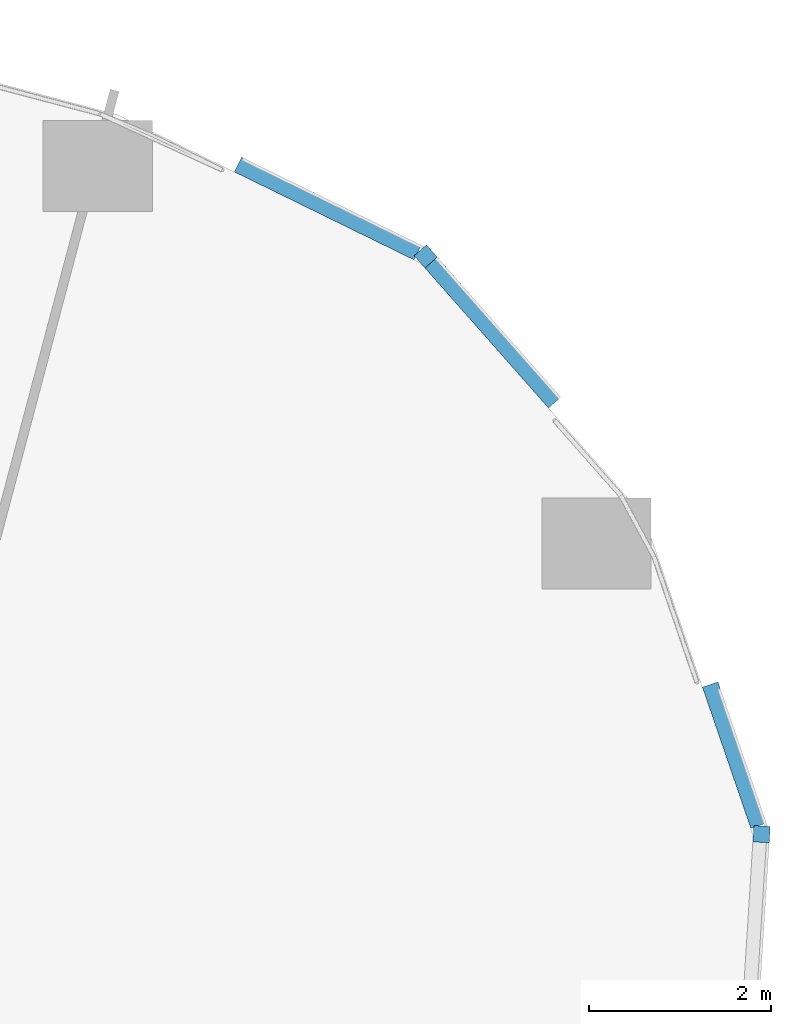
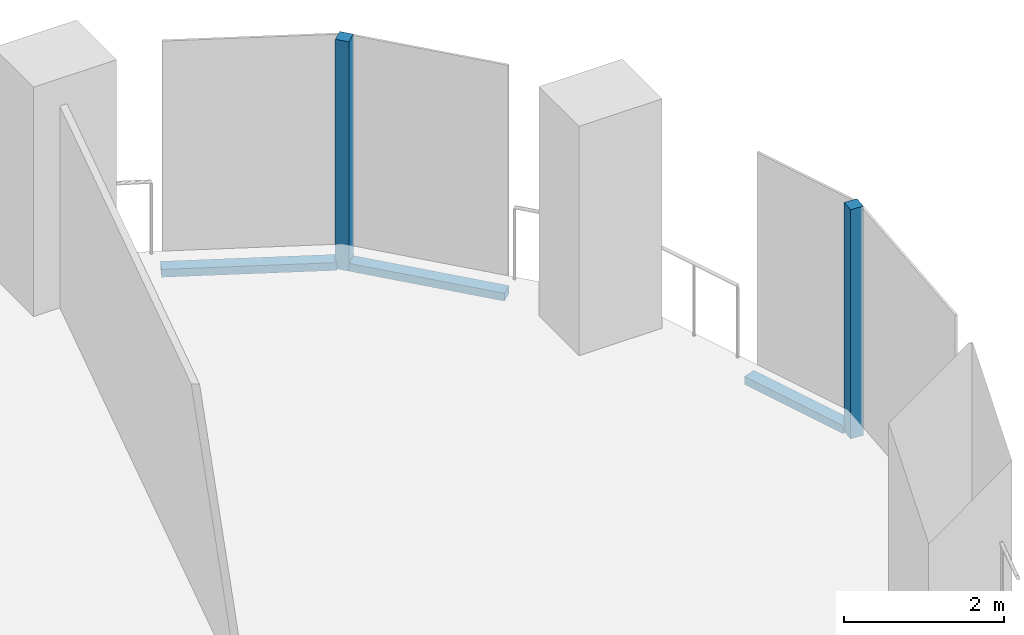
# One storey, part 9 of 34: 5 members, 4 elements without a shape of their own.
"""IFC4 building model written with IfcOpenShell, lengths in metres."""

from ifc_helpers import new_model, si_unit, direction, frame, origin, origin_2d, place, context, subcontext, project, spatial, rectangle, extrude, material, material_profile, profile_set, type_object, element, aggregate, save


model = new_model("IFC4")

# Units and contexts
model_context = context("Model", 3, precision=1e-05, world=origin(), true_north=direction((0.0, 1.0)))
body_context = subcontext(model_context, "Body", "Model", "MODEL_VIEW")
ifc_project = project(units=[si_unit("LENGTHUNIT", "METRE"), si_unit("AREAUNIT", "SQUARE_METRE"), si_unit("VOLUMEUNIT", "CUBIC_METRE"), si_unit("PLANEANGLEUNIT", "RADIAN"), si_unit("MASSUNIT", "GRAM", prefix="KILO")], contexts=[model_context])

# Site, building, storey
site_placement = place(None, origin())
site = spatial("IfcSite", under=ifc_project, at=site_placement, CompositionType="ELEMENT")
building_placement = place(site_placement, origin())
building = spatial("IfcBuilding", under=site, at=building_placement, Name="Orlundy Tower", CompositionType="ELEMENT")
storey_placement = place(building_placement, frame((0.0, 0.0, 102.199951171875)))
storey = spatial("IfcBuildingStorey", under=building, at=storey_placement, Name="L25", CompositionType="ELEMENT", Elevation=102.199951171875)

# Curtain wall, member
ifc_material_1 = material(Name="Aluminium bronze anodised", Category="aluminium")
curtain_wall_type = type_object("IfcCurtainWallType", Name="CW1 wall", PredefinedType="NOTDEFINED", material=ifc_material_1)
curtain_wall_1_placement = place(storey_placement, origin())
curtain_wall_1 = element("IfcCurtainWall", 1, at=curtain_wall_1_placement, inside=storey, type_object=curtain_wall_type, Name="CW1 run 020", PredefinedType="NOTDEFINED")
ifc_material_2 = material(Name="Aluminium bronze anodised", Category="aluminium")
ifc_material_profile_1 = material_profile(ifc_material_2, rectangle(XDim=0.179931640625, YDim=0.179931640625, at=origin_2d()), Name="CW1 corner post 180x180")
ifc_profile_set_1 = profile_set([ifc_material_profile_1], Name="Aluminium bronze anodised")
member_type_1 = type_object("IfcMemberType", Name="CW1 corner post 180x180", PredefinedType="MULLION", material=ifc_profile_set_1)
member_1_placement = place(storey_placement, frame((57.8056640625, 4.719970703125, -0.39990234375), z_axis=(0.0, 0.0, 1.0), x_axis=(0.749845729605, 0.661612712841, 0.0)))
member_1 = element("IfcMember", 2, at=member_1_placement, type_object=member_type_1, Name="CW1 mullion 58", PredefinedType="MULLION", context=body_context, shape_type="SweptSolid", body=[
    extrude(rectangle(XDim=0.179931640625, YDim=0.179931640625, at=origin_2d()), origin(), (0.0, 0.0, 1.0), 3.5),
])

curtain_wall_2_placement = place(storey_placement, origin())
curtain_wall_2 = element("IfcCurtainWall", 3, at=curtain_wall_2_placement, inside=storey, type_object=curtain_wall_type, Name="CW1 run 022", PredefinedType="NOTDEFINED")
member_2_placement = place(storey_placement, frame((61.494873046875, -1.626708984375, -0.39990234375), z_axis=(0.0, 0.0, 1.0), x_axis=(0.998038906457, -0.062596654845, 0.0)))
member_2 = element("IfcMember", 4, at=member_2_placement, type_object=member_type_1, Name="CW1 mullion 60", PredefinedType="MULLION", context=body_context, shape_type="SweptSolid", body=[
    extrude(rectangle(XDim=0.179931640625, YDim=0.179931640625, at=origin_2d()), origin(), (0.0, 0.0, 1.0), 3.5),
])
aggregate(curtain_wall_2, [member_2])

curtain_wall_3_placement = place(storey_placement, origin())
curtain_wall_3 = element("IfcCurtainWall", 5, at=curtain_wall_3_placement, inside=storey, type_object=curtain_wall_type, Name="CW1 run 019", PredefinedType="NOTDEFINED")
ifc_material_3 = material(Name="Aluminium bronze anodised", Category="aluminium")
ifc_material_profile_2 = material_profile(ifc_material_3, rectangle(XDim=0.179931640625, YDim=0.1201171875, at=origin_2d()), Name="CW1 transom 180x120")
ifc_profile_set_2 = profile_set([ifc_material_profile_2], Name="Aluminium bronze anodised")
member_type_2 = type_object("IfcMemberType", Name="CW1 transom 180x120", PredefinedType="USERDEFINED", material=ifc_profile_set_2)
member_3_placement = place(storey_placement, frame((55.742919921875, 5.72998046875, -0.33984375), z_axis=(0.898103867774, -0.439783404291, 0.0), x_axis=(0.439783404291, 0.898103867774, 0.0)))
member_3 = element("IfcMember", 6, at=member_3_placement, type_object=member_type_2, Name="CW1 transom", ObjectType="TRANSOM", PredefinedType="USERDEFINED", context=body_context, shape_type="SweptSolid", body=[
    extrude(rectangle(XDim=0.179931640625, YDim=0.1201171875, at=origin_2d()), origin(), (0.0, 0.0, 1.0), 2.199462890625),
])
aggregate(curtain_wall_3, [member_3])

# Member
member_4_placement = place(storey_placement, frame((57.865234375, 4.652587890625, -0.33984375), z_axis=(0.661558635741, -0.749893440081, 0.0), x_axis=(0.749893440081, 0.661558635741, 0.0)))
member_4 = element("IfcMember", 7, at=member_4_placement, type_object=member_type_2, Name="CW1 transom", ObjectType="TRANSOM", PredefinedType="USERDEFINED", context=body_context, shape_type="SweptSolid", body=[
    extrude(rectangle(XDim=0.179931640625, YDim=0.1201171875, at=origin_2d()), origin(), (0.0, 0.0, 1.0), 2.05078125),
])

aggregate(curtain_wall_1, [member_1, member_4])

# Curtain wall, member
curtain_wall_4_placement = place(storey_placement, origin())
curtain_wall_4 = element("IfcCurtainWall", 8, at=curtain_wall_4_placement, inside=storey, type_object=curtain_wall_type, Name="CW1 run 021", PredefinedType="NOTDEFINED")
member_5_placement = place(storey_placement, frame((60.931396484375, 0.017333984375, -0.33984375), z_axis=(0.324252039127, -0.945970726356, 0.0), x_axis=(0.945970726356, 0.324252039127, 0.0)))
member_5 = element("IfcMember", 9, at=member_5_placement, type_object=member_type_2, Name="CW1 transom", ObjectType="TRANSOM", PredefinedType="USERDEFINED", context=body_context, shape_type="SweptSolid", body=[
    extrude(rectangle(XDim=0.179931640625, YDim=0.1201171875, at=origin_2d()), origin(), (0.0, 0.0, 1.0), 1.640625),
])
aggregate(curtain_wall_4, [member_5])

save(model, "model.ifc")
